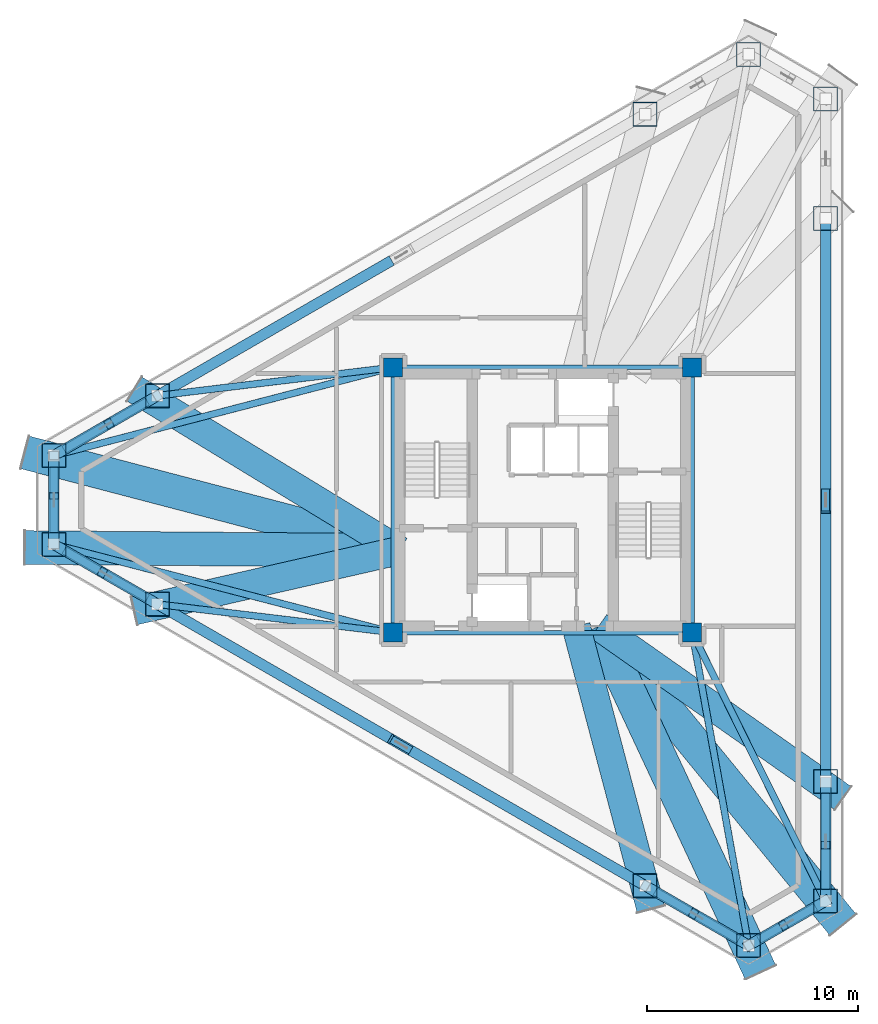
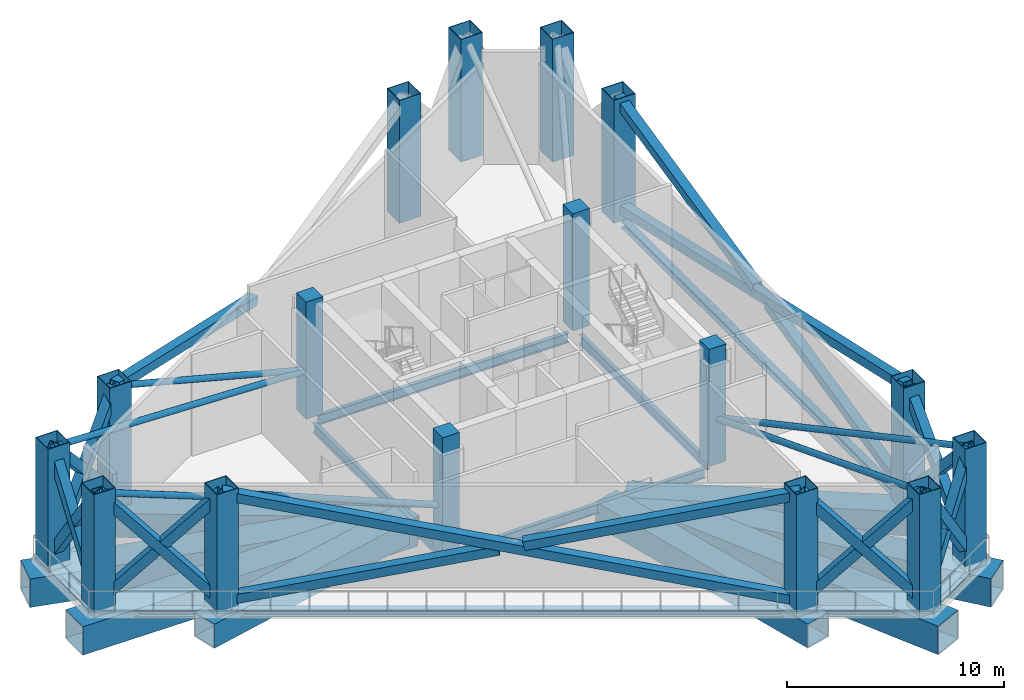
# One storey, part 1 of 7: 31 members, 20 beams, 16 columns.
"""IFC4 building model written with IfcOpenShell, lengths in metres."""

from ifc_helpers import new_model, si_unit, direction, frame, origin, origin_2d, place, context, subcontext, project, spatial, rectangle, hollow_rectangle, hollow_circle, i_section, extrude, material, material_profile, profile_set, type_object, element, save


model = new_model("IFC4")

# Units and contexts
model_context = context("Model", 3, precision=1e-05, world=origin(), true_north=direction((0.0, 1.0)))
body_context = subcontext(model_context, "Body", "Model", "MODEL_VIEW")
ifc_project = project(units=[si_unit("LENGTHUNIT", "METRE"), si_unit("AREAUNIT", "SQUARE_METRE"), si_unit("VOLUMEUNIT", "CUBIC_METRE"), si_unit("PLANEANGLEUNIT", "RADIAN"), si_unit("MASSUNIT", "GRAM", prefix="KILO")], contexts=[model_context])

# Site, building, storey
site_placement = place(None, origin())
site = spatial("IfcSite", under=ifc_project, at=site_placement, CompositionType="ELEMENT")
building_placement = place(site_placement, origin())
building = spatial("IfcBuilding", under=site, at=building_placement, Name="Mersakhor Tower and Convention Hall", CompositionType="ELEMENT")
storey_placement = place(building_placement, frame((0.0, 0.0, 66.89990234375)))
storey = spatial("IfcBuildingStorey", under=building, at=storey_placement, Name="L18", CompositionType="ELEMENT", Elevation=66.89990234375)

# Columns
ifc_material_1 = material(Name="Concrete C60/75 in S460M steel box", Category="concrete")
ifc_material_profile_1 = material_profile(ifc_material_1, hollow_rectangle(XDim=1.14990234375, YDim=1.14990234375, WallThickness=0.031982421875, at=origin_2d()), Name="SHS 1150x1150x32")
ifc_profile_set_1 = profile_set([ifc_material_profile_1], Name="Concrete C60/75 in S460M steel box")
column_type_1 = type_object("IfcColumnType", Name="COL-CFT-1150", PredefinedType="COLUMN", material=ifc_profile_set_1)
for number, where, z_axis, x_axis, name in (
    (1, (5.78662109375, 28.86083984375, -0.31982421875), (0.0, 0.0, 1.0), (1.0, 0.0, 0.0), "L18 Perimeter Mega-Column MC-01"),
    (2, (10.702392578125, 31.698974609375, -0.31982421875), (0.0, 0.0, 1.0), (1.0, 0.0, 0.0), "L18 Perimeter Mega-Column MC-02"),
    (3, (33.86279296875, 45.070556640625, -0.31982421875), (0.0, 0.0, 1.0), (1.0, 0.0, 0.0), "L18 Perimeter Mega-Column MC-03"),
    (4, (38.77880859375, 47.90869140625, -0.31982421875), (0.0, 0.0, 1.0), (1.0, 0.0, 0.0), "L18 Perimeter Mega-Column MC-04"),
    (5, (42.4345703125, 45.798095703125, -0.31982421875), (0.0, 0.0, 1.0), (1.0, 0.0, 0.0), "L18 Perimeter Mega-Column MC-05"),
    (6, (42.4345703125, 40.12158203125, -0.31982421875), (0.0, 0.0, 1.0), (1.0, 0.0, 0.0), "L18 Perimeter Mega-Column MC-06"),
    (7, (42.4345703125, 13.37841796875, -0.31982421875), (0.0, 0.0, 1.0), (1.0, 0.0, 0.0), "L18 Perimeter Mega-Column MC-07"),
    (8, (42.4345703125, 7.701904296875, -0.31982421875), (0.0, 0.0, 1.0), (1.0, 0.0, 0.0), "L18 Perimeter Mega-Column MC-08"),
    (9, (38.77880859375, 5.59130859375, -0.31982421875), (0.0, 0.0, 1.0), (1.0, 0.0, 0.0), "L18 Perimeter Mega-Column MC-09"),
    (10, (33.86279296875, 8.429443359375, -0.31982421875), (0.0, 0.0, 1.0), (1.0, 0.0, 0.0), "L18 Perimeter Mega-Column MC-10"),
    (11, (10.702392578125, 21.801025390625, -0.31982421875), (0.0, 0.0, 1.0), (1.0, 0.0, 0.0), "L18 Perimeter Mega-Column MC-11"),
    (12, (5.78662109375, 24.63916015625, -0.31982421875), (0.0, 0.0, 1.0), (1.0, 0.0, 0.0), "L18 Perimeter Mega-Column MC-12"),
):
    element("IfcColumn", number, at=place(storey_placement, frame(where, z_axis=z_axis, x_axis=x_axis)), inside=storey, type_object=column_type_1, Name=name, PredefinedType="COLUMN", context=body_context, shape_type="SweptSolid", body=[
        extrude(hollow_rectangle(XDim=1.14990234375, YDim=1.14990234375, WallThickness=0.031982421875, at=origin_2d()), origin(), (0.0, 0.0, 1.0), 6.919921875),
    ])
ifc_material_2 = material(Name="Concrete C60/75", Category="concrete")
ifc_material_profile_2 = material_profile(ifc_material_2, rectangle(XDim=0.89990234375, YDim=0.89990234375, at=origin_2d()), Name="RC 900x900")
ifc_profile_set_2 = profile_set([ifc_material_profile_2], Name="Concrete C60/75")
column_type_2 = type_object("IfcColumnType", Name="COL-RC-900", PredefinedType="COLUMN", material=ifc_profile_set_2)
for number, where, z_axis, x_axis, name in (
    (13, (21.89990234375, 20.449951171875, 0.0), (0.0, 0.0, 1.0), (1.0, 0.0, 0.0), "L18 Core Corner Column CC-1"),
    (14, (21.89990234375, 33.050048828125, 0.0), (0.0, 0.0, 1.0), (1.0, 0.0, 0.0), "L18 Core Corner Column CC-2"),
    (15, (36.10009765625, 33.050048828125, 0.0), (0.0, 0.0, 1.0), (1.0, 0.0, 0.0), "L18 Core Corner Column CC-3"),
    (16, (36.10009765625, 20.449951171875, 0.0), (0.0, 0.0, 1.0), (1.0, 0.0, 0.0), "L18 Core Corner Column CC-4"),
):
    element("IfcColumn", number, at=place(storey_placement, frame(where, z_axis=z_axis, x_axis=x_axis)), inside=storey, type_object=column_type_2, Name=name, PredefinedType="COLUMN", context=body_context, shape_type="SweptSolid", body=[
        extrude(rectangle(XDim=0.89990234375, YDim=0.89990234375, at=origin_2d()), origin(), (0.0, 0.0, 1.0), 6.60009765625),
    ])

# Beams
ifc_material_3 = material(Name="Steel S355", Category="steel")
ifc_material_profile_3 = material_profile(ifc_material_3, i_section(OverallWidth=0.2099609375, OverallDepth=0.53662109375, WebThickness=0.0107421875, FlangeThickness=0.017333984375, at=origin_2d()), Name="UB 533x210x101")
ifc_profile_set_3 = profile_set([ifc_material_profile_3], Name="Steel S355")
beam_type_1 = type_object("IfcBeamType", Name="BM-FB-533", PredefinedType="BEAM", material=ifc_profile_set_3)
beam_1_placement = place(storey_placement, frame((21.89990234375, 20.8798828125, -0.588134765625), z_axis=(0.0, 1.0, 0.0), x_axis=(-1.0, 0.0, 0.0)))
element("IfcBeam", 17, at=beam_1_placement, inside=storey, type_object=beam_type_1, Name="L18 Core Ring Tie Beam CRB-1", PredefinedType="BEAM", context=body_context, shape_type="SweptSolid", body=[
    extrude(i_section(OverallWidth=0.2099609375, OverallDepth=0.53662109375, WebThickness=0.0107421875, FlangeThickness=0.017333984375, at=origin_2d()), origin(), (0.0, 0.0, 1.0), 11.740234375),
])
beam_2_placement = place(storey_placement, frame((22.330078125, 33.050048828125, -0.588134765625), z_axis=(1.0, 0.0, 0.0), x_axis=(0.0, 1.0, 0.0)))
element("IfcBeam", 18, at=beam_2_placement, inside=storey, type_object=beam_type_1, Name="L18 Core Ring Tie Beam CRB-2", PredefinedType="BEAM", context=body_context, shape_type="SweptSolid", body=[
    extrude(i_section(OverallWidth=0.2099609375, OverallDepth=0.53662109375, WebThickness=0.0107421875, FlangeThickness=0.017333984375, at=origin_2d()), origin(), (0.0, 0.0, 1.0), 13.33984375),
])
beam_3_placement = place(storey_placement, frame((36.10009765625, 32.6201171875, -0.588134765625), z_axis=(0.0, -1.0, 0.0), x_axis=(1.0, 0.0, 0.0)))
element("IfcBeam", 19, at=beam_3_placement, inside=storey, type_object=beam_type_1, Name="L18 Core Ring Tie Beam CRB-3", PredefinedType="BEAM", context=body_context, shape_type="SweptSolid", body=[
    extrude(i_section(OverallWidth=0.2099609375, OverallDepth=0.53662109375, WebThickness=0.0107421875, FlangeThickness=0.017333984375, at=origin_2d()), origin(), (0.0, 0.0, 1.0), 11.740234375),
])
beam_4_placement = place(storey_placement, frame((35.669921875, 20.449951171875, -0.588134765625), z_axis=(-1.0, 0.0, 0.0), x_axis=(0.0, -1.0, 0.0)))
element("IfcBeam", 20, at=beam_4_placement, inside=storey, type_object=beam_type_1, Name="L18 Core Ring Tie Beam CRB-4", PredefinedType="BEAM", context=body_context, shape_type="SweptSolid", body=[
    extrude(i_section(OverallWidth=0.2099609375, OverallDepth=0.53662109375, WebThickness=0.0107421875, FlangeThickness=0.017333984375, at=origin_2d()), origin(), (0.0, 0.0, 1.0), 13.33984375),
])
ifc_material_4 = material(Name="Steel S355", Category="steel")
ifc_material_profile_4 = material_profile(ifc_material_4, i_section(OverallWidth=0.374755859375, OverallDepth=0.37451171875, WebThickness=0.0166015625, FlangeThickness=0.027099609375, at=origin_2d()), Name="UC 356x368x202")
ifc_profile_set_4 = profile_set([ifc_material_profile_4], Name="Steel S355")
beam_type_2 = type_object("IfcBeamType", Name="BM-SPD-UC356", PredefinedType="SPANDREL", material=ifc_profile_set_4)
beam_5_placement = place(storey_placement, frame((6.267333984375, 29.13818359375, -0.50732421875), z_axis=(0.866023543838, 0.500003221507, 0.0), x_axis=(-0.500003221507, 0.866023543838, 0.0)))
element("IfcBeam", 21, at=beam_5_placement, inside=storey, type_object=beam_type_2, Name="L18 Perimeter Spandrel Beam SPB-01", PredefinedType="SPANDREL", context=body_context, shape_type="SweptSolid", body=[
    extrude(i_section(OverallWidth=0.374755859375, OverallDepth=0.37451171875, WebThickness=0.0166015625, FlangeThickness=0.027099609375, at=origin_2d()), origin(), (0.0, 0.0, 1.0), 4.56640625),
])
beam_6_placement = place(storey_placement, frame((42.4345703125, 39.566650390625, -0.50732421875), z_axis=(0.0, -1.0, 0.0), x_axis=(1.0, 0.0, 0.0)))
element("IfcBeam", 22, at=beam_6_placement, inside=storey, type_object=beam_type_2, Name="L18 Perimeter Spandrel Beam SPB-06", PredefinedType="SPANDREL", context=body_context, shape_type="SweptSolid", body=[
    extrude(i_section(OverallWidth=0.374755859375, OverallDepth=0.37451171875, WebThickness=0.0166015625, FlangeThickness=0.027099609375, at=origin_2d()), origin(), (0.0, 0.0, 1.0), 25.63330078125),
])
beam_7_placement = place(storey_placement, frame((42.4345703125, 12.8232421875, -0.50732421875), z_axis=(0.0, -1.0, 0.0), x_axis=(1.0, 0.0, 0.0)))
element("IfcBeam", 23, at=beam_7_placement, inside=storey, type_object=beam_type_2, Name="L18 Perimeter Spandrel Beam SPB-07", PredefinedType="SPANDREL", context=body_context, shape_type="SweptSolid", body=[
    extrude(i_section(OverallWidth=0.374755859375, OverallDepth=0.37451171875, WebThickness=0.0166015625, FlangeThickness=0.027099609375, at=origin_2d()), origin(), (0.0, 0.0, 1.0), 4.566162109375),
])
beam_8_placement = place(storey_placement, frame((41.9541015625, 7.424560546875, -0.50732421875), z_axis=(-0.866052319632, -0.499953377486, 0.0), x_axis=(0.499953377486, -0.866052319632, 0.0)))
element("IfcBeam", 24, at=beam_8_placement, inside=storey, type_object=beam_type_2, Name="L18 Perimeter Spandrel Beam SPB-08", PredefinedType="SPANDREL", context=body_context, shape_type="SweptSolid", body=[
    extrude(i_section(OverallWidth=0.374755859375, OverallDepth=0.37451171875, WebThickness=0.0166015625, FlangeThickness=0.027099609375, at=origin_2d()), origin(), (0.0, 0.0, 1.0), 3.111572265625),
])
beam_9_placement = place(storey_placement, frame((38.298095703125, 5.868896484375, -0.50732421875), z_axis=(-0.866046694585, 0.499963121439, 0.0), x_axis=(-0.499963121439, -0.866046694585, 0.0)))
element("IfcBeam", 25, at=beam_9_placement, inside=storey, type_object=beam_type_2, Name="L18 Perimeter Spandrel Beam SPB-09", PredefinedType="SPANDREL", context=body_context, shape_type="SweptSolid", body=[
    extrude(i_section(OverallWidth=0.374755859375, OverallDepth=0.37451171875, WebThickness=0.0166015625, FlangeThickness=0.027099609375, at=origin_2d()), origin(), (0.0, 0.0, 1.0), 4.566162109375),
])
beam_10_placement = place(storey_placement, frame((33.38232421875, 8.706787109375, -0.50732421875), z_axis=(-0.866022538643, 0.500004962538, 0.0), x_axis=(-0.500004962538, -0.866022538643, 0.0)))
element("IfcBeam", 26, at=beam_10_placement, inside=storey, type_object=beam_type_2, Name="L18 Perimeter Spandrel Beam SPB-10", PredefinedType="SPANDREL", context=body_context, shape_type="SweptSolid", body=[
    extrude(i_section(OverallWidth=0.374755859375, OverallDepth=0.37451171875, WebThickness=0.0166015625, FlangeThickness=0.027099609375, at=origin_2d()), origin(), (0.0, 0.0, 1.0), 25.633544921875),
])
beam_11_placement = place(storey_placement, frame((10.221923828125, 22.07861328125, -0.50732421875), z_axis=(-0.866023543838, 0.500003221507, 0.0), x_axis=(-0.500003221507, -0.866023543838, 0.0)))
element("IfcBeam", 27, at=beam_11_placement, inside=storey, type_object=beam_type_2, Name="L18 Perimeter Spandrel Beam SPB-11", PredefinedType="SPANDREL", context=body_context, shape_type="SweptSolid", body=[
    extrude(i_section(OverallWidth=0.374755859375, OverallDepth=0.37451171875, WebThickness=0.0166015625, FlangeThickness=0.027099609375, at=origin_2d()), origin(), (0.0, 0.0, 1.0), 4.56640625),
])
beam_12_placement = place(storey_placement, frame((5.78662109375, 25.194091796875, -0.50732421875), z_axis=(0.0, 1.0, 0.0), x_axis=(-1.0, 0.0, 0.0)))
element("IfcBeam", 28, at=beam_12_placement, inside=storey, type_object=beam_type_2, Name="L18 Perimeter Spandrel Beam SPB-12", PredefinedType="SPANDREL", context=body_context, shape_type="SweptSolid", body=[
    extrude(i_section(OverallWidth=0.374755859375, OverallDepth=0.37451171875, WebThickness=0.0166015625, FlangeThickness=0.027099609375, at=origin_2d()), origin(), (0.0, 0.0, 1.0), 3.11181640625),
])
ifc_material_5 = material(Name="Steel S460", Category="steel")
ifc_material_profile_5 = material_profile(ifc_material_5, hollow_rectangle(XDim=1.35009765625, YDim=1.35009765625, WallThickness=0.035888671875, at=origin_2d()), Name="SHS 1350x1350x36")
ifc_profile_set_5 = profile_set([ifc_material_profile_5], Name="Steel S460")
beam_type_3 = type_object("IfcBeamType", Name="BM-TR-BOX1350", PredefinedType="BEAM", material=ifc_profile_set_5)
beam_13_placement = place(storey_placement, frame((9.61669921875, 32.013671875, -0.994873046875), z_axis=(0.854071815616, -0.520155105493, 0.0), x_axis=(0.520155105493, 0.854071815616, 0.0)))
element("IfcBeam", 29, at=beam_13_placement, inside=storey, type_object=beam_type_3, Name="L18 Taper Step Transfer Girder STG-02", PredefinedType="BEAM", context=body_context, shape_type="SweptSolid", body=[
    extrude(hollow_rectangle(XDim=1.35009765625, YDim=1.35009765625, WallThickness=0.035888671875, at=origin_2d()), origin(), (0.0, 0.0, 1.0), 14.733154296875),
])
beam_14_placement = place(storey_placement, frame((43.25, 12.595458984375, -0.994873046875), z_axis=(-0.818088140846, 0.575092856682, 0.0), x_axis=(-0.575092856682, -0.818088140846, 0.0)))
element("IfcBeam", 30, at=beam_14_placement, inside=storey, type_object=beam_type_3, Name="L18 Taper Step Transfer Girder STG-07", PredefinedType="BEAM", context=body_context, shape_type="SweptSolid", body=[
    extrude(hollow_rectangle(XDim=1.35009765625, YDim=1.35009765625, WallThickness=0.035888671875, at=origin_2d()), origin(), (0.0, 0.0, 1.0), 14.179443359375),
])
beam_15_placement = place(storey_placement, frame((34.13330078125, 7.331787109375, -0.994873046875), z_axis=(-0.255571992926, 0.966790027065, 0.0), x_axis=(-0.966790027065, -0.255571992926, 0.0)))
element("IfcBeam", 31, at=beam_15_placement, inside=storey, type_object=beam_type_3, Name="L18 Taper Step Transfer Girder STG-10", PredefinedType="BEAM", context=body_context, shape_type="SweptSolid", body=[
    extrude(hollow_rectangle(XDim=1.35009765625, YDim=1.35009765625, WallThickness=0.035888671875, at=origin_2d()), origin(), (0.0, 0.0, 1.0), 13.879150390625),
])
beam_16_placement = place(storey_placement, frame((9.61669921875, 21.486328125, -0.994873046875), z_axis=(0.975066840211, 0.221911372222, 0.0), x_axis=(-0.221911372222, 0.975066840211, 0.0)))
element("IfcBeam", 32, at=beam_16_placement, inside=storey, type_object=beam_type_3, Name="L18 Taper Step Transfer Girder STG-11", PredefinedType="BEAM", context=body_context, shape_type="SweptSolid", body=[
    extrude(hollow_rectangle(XDim=1.35009765625, YDim=1.35009765625, WallThickness=0.035888671875, at=origin_2d()), origin(), (0.0, 0.0, 1.0), 12.905029296875),
])
ifc_material_6 = material(Name="Steel S460", Category="steel")
ifc_material_profile_6 = material_profile(ifc_material_6, hollow_rectangle(XDim=1.60009765625, YDim=1.60009765625, WallThickness=0.0400390625, at=origin_2d()), Name="SHS 1600x1600x40")
ifc_profile_set_6 = profile_set([ifc_material_profile_6], Name="Steel S460")
beam_type_4 = type_object("IfcBeamType", Name="BM-TR-BOX1600", PredefinedType="BEAM", material=ifc_profile_set_6)
beam_17_placement = place(storey_placement, frame((4.4130859375, 29.00927734375, -1.119873046875), z_axis=(0.96736269218, -0.253395780901, 0.0), x_axis=(0.253395780901, 0.96736269218, 0.0)))
element("IfcBeam", 33, at=beam_17_placement, inside=storey, type_object=beam_type_4, Name="L18 Taper Step Transfer Girder STG-01", PredefinedType="BEAM", context=body_context, shape_type="SweptSolid", body=[
    extrude(hollow_rectangle(XDim=1.60009765625, YDim=1.60009765625, WallThickness=0.0400390625, at=origin_2d()), origin(), (0.0, 0.0, 1.0), 18.386962890625),
])
beam_18_placement = place(storey_placement, frame((43.25, 6.586669921875, -1.119873046875), z_axis=(-0.633627677135, 0.773638136837, 0.0), x_axis=(-0.773638136837, -0.633627677135, 0.0)))
element("IfcBeam", 34, at=beam_18_placement, inside=storey, type_object=beam_type_4, Name="L18 Taper Step Transfer Girder STG-08", PredefinedType="BEAM", context=body_context, shape_type="SweptSolid", body=[
    extrude(hollow_rectangle(XDim=1.60009765625, YDim=1.60009765625, WallThickness=0.0400390625, at=origin_2d()), origin(), (0.0, 0.0, 1.0), 18.307373046875),
])
beam_19_placement = place(storey_placement, frame((39.3369140625, 4.327392578125, -1.119873046875), z_axis=(-0.423932586502, 0.905693746308, 0.0), x_axis=(-0.905693746308, -0.423932586502, 0.0)))
element("IfcBeam", 35, at=beam_19_placement, inside=storey, type_object=beam_type_4, Name="L18 Taper Step Transfer Girder STG-09", PredefinedType="BEAM", context=body_context, shape_type="SweptSolid", body=[
    extrude(hollow_rectangle(XDim=1.60009765625, YDim=1.60009765625, WallThickness=0.0400390625, at=origin_2d()), origin(), (0.0, 0.0, 1.0), 18.132568359375),
])
beam_20_placement = place(storey_placement, frame((4.4130859375, 24.49072265625, -1.119873046875), z_axis=(0.999968748139, -0.007905867805, 0.0), x_axis=(0.007905867805, 0.999968748139, 0.0)))
element("IfcBeam", 36, at=beam_20_placement, inside=storey, type_object=beam_type_4, Name="L18 Taper Step Transfer Girder STG-12", PredefinedType="BEAM", context=body_context, shape_type="SweptSolid", body=[
    extrude(hollow_rectangle(XDim=1.60009765625, YDim=1.60009765625, WallThickness=0.0400390625, at=origin_2d()), origin(), (0.0, 0.0, 1.0), 17.787353515625),
])

# Members
ifc_material_7 = material(Name="Steel S460", Category="steel")
ifc_material_profile_7 = material_profile(ifc_material_7, hollow_rectangle(XDim=0.5, YDim=0.5, WallThickness=0.030029296875, at=origin_2d()), Name="SHS 500x500x30")
ifc_profile_set_7 = profile_set([ifc_material_profile_7], Name="Steel S460")
member_type_1 = type_object("IfcMemberType", Name="MB-BRC-SHS500", PredefinedType="BRACE", material=ifc_profile_set_7)
member_1_placement = place(storey_placement, frame((5.78662109375, 28.86083984375, 0.2001953125), z_axis=(0.595163661612, 0.343619447045, 0.726433680049), x_axis=(-0.500001688065, 0.866024429177, 0.0)))
element("IfcMember", 37, at=member_1_placement, inside=storey, type_object=member_type_1, Name="L18 Wind Zone Perimeter Diagonal WD-01A", PredefinedType="BRACE", context=body_context, shape_type="SweptSolid", body=[
    extrude(hollow_rectangle(XDim=0.5, YDim=0.5, WallThickness=0.030029296875, at=origin_2d()), origin(), (0.0, 0.0, 1.0), 8.259521484375),
])
member_2_placement = place(storey_placement, frame((10.702392578125, 31.698974609375, 0.2001953125), z_axis=(-0.595141568345, -0.343639547092, 0.726442272519), x_axis=(0.500037544306, -0.866003726484, 0.0)))
element("IfcMember", 38, at=member_2_placement, inside=storey, type_object=member_type_1, Name="L18 Wind Zone Perimeter Diagonal WD-01B Lower Half", PredefinedType="BRACE", context=body_context, shape_type="SweptSolid", body=[
    extrude(hollow_rectangle(XDim=0.5, YDim=0.5, WallThickness=0.030029296875, at=origin_2d()), origin(), (0.0, 0.0, 1.0), 3.871337890625),
])
member_3_placement = place(storey_placement, frame((8.0908203125, 30.191162109375, 3.3876953125), z_axis=(-0.595155029377, -0.343610908569, 0.726444791102), x_axis=(0.499997808738, -0.866026668906, 0.0)))
element("IfcMember", 39, at=member_3_placement, inside=storey, type_object=member_type_1, Name="L18 Wind Zone Perimeter Diagonal WD-01B Upper Half", PredefinedType="BRACE", context=body_context, shape_type="SweptSolid", body=[
    extrude(hollow_rectangle(XDim=0.5, YDim=0.5, WallThickness=0.030029296875, at=origin_2d()), origin(), (0.0, 0.0, 1.0), 3.87158203125),
])
member_4_placement = place(storey_placement, frame((21.781494140625, 38.09521484375, 3.330078125), z_axis=(-0.845029201905, -0.48785632571, 0.218910605941), x_axis=(0.499983465247, -0.866034949918, 0.0)))
element("IfcMember", 40, at=member_4_placement, inside=storey, type_object=member_type_1, Name="L18 Wind Zone Perimeter Diagonal WD-02B Upper Half", PredefinedType="BRACE", context=body_context, shape_type="SweptSolid", body=[
    extrude(hollow_rectangle(XDim=0.5, YDim=0.5, WallThickness=0.030029296875, at=origin_2d()), origin(), (0.0, 0.0, 1.0), 13.11083984375),
])
member_5_placement = place(storey_placement, frame((42.4345703125, 40.12158203125, 0.2001953125), z_axis=(0.0, -0.975744062091, 0.218914424593), x_axis=(1.0, 0.0, 0.0)))
element("IfcMember", 41, at=member_5_placement, inside=storey, type_object=member_type_1, Name="L18 Wind Zone Perimeter Diagonal WD-06A", PredefinedType="BRACE", context=body_context, shape_type="SweptSolid", body=[
    extrude(hollow_rectangle(XDim=0.5, YDim=0.5, WallThickness=0.030029296875, at=origin_2d()), origin(), (0.0, 0.0, 1.0), 27.407958984375),
])
for number, where, z_axis, x_axis, name in (
    (42, (42.4345703125, 13.37841796875, 0.2001953125), (0.0, 0.975744264857, 0.218913520824), (-1.0, 0.0, 0.0), "L18 Wind Zone Perimeter Diagonal WD-06B Lower Half"),
    (43, (42.4345703125, 27.328857421875, 3.330078125), (0.0, 0.975744264857, 0.218913520824), (-1.0, 0.0, 0.0), "L18 Wind Zone Perimeter Diagonal WD-06B Upper Half"),
):
    element("IfcMember", number, at=place(storey_placement, frame(where, z_axis=z_axis, x_axis=x_axis)), inside=storey, type_object=member_type_1, Name=name, PredefinedType="BRACE", context=body_context, shape_type="SweptSolid", body=[
        extrude(hollow_rectangle(XDim=0.5, YDim=0.5, WallThickness=0.030029296875, at=origin_2d()), origin(), (0.0, 0.0, 1.0), 13.11083984375),
    ])
member_6_placement = place(storey_placement, frame((42.4345703125, 13.37841796875, 0.2001953125), z_axis=(0.0, -0.687253396, 0.726417765261), x_axis=(1.0, 0.0, 0.0)))
element("IfcMember", 44, at=member_6_placement, inside=storey, type_object=member_type_1, Name="L18 Wind Zone Perimeter Diagonal WD-07A", PredefinedType="BRACE", context=body_context, shape_type="SweptSolid", body=[
    extrude(hollow_rectangle(XDim=0.5, YDim=0.5, WallThickness=0.030029296875, at=origin_2d()), origin(), (0.0, 0.0, 1.0), 8.259765625),
])
member_7_placement = place(storey_placement, frame((42.4345703125, 7.701904296875, 0.2001953125), z_axis=(0.0, 0.687254721607, 0.726416511121), x_axis=(-1.0, 0.0, 0.0)))
element("IfcMember", 45, at=member_7_placement, inside=storey, type_object=member_type_1, Name="L18 Wind Zone Perimeter Diagonal WD-07B Lower Half", PredefinedType="BRACE", context=body_context, shape_type="SweptSolid", body=[
    extrude(hollow_rectangle(XDim=0.5, YDim=0.5, WallThickness=0.030029296875, at=origin_2d()), origin(), (0.0, 0.0, 1.0), 3.871337890625),
])
member_8_placement = place(storey_placement, frame((42.4345703125, 10.7177734375, 3.3876953125), z_axis=(0.0, 0.68722323953, 0.726446294677), x_axis=(-1.0, 0.0, 0.0)))
element("IfcMember", 46, at=member_8_placement, inside=storey, type_object=member_type_1, Name="L18 Wind Zone Perimeter Diagonal WD-07B Upper Half", PredefinedType="BRACE", context=body_context, shape_type="SweptSolid", body=[
    extrude(hollow_rectangle(XDim=0.5, YDim=0.5, WallThickness=0.030029296875, at=origin_2d()), origin(), (0.0, 0.0, 1.0), 3.87158203125),
])
member_9_placement = place(storey_placement, frame((42.4345703125, 7.701904296875, 0.2001953125), z_axis=(-0.498321046316, -0.287697705717, 0.817866838137), x_axis=(0.49998946241, -0.866031487579, 0.0)))
element("IfcMember", 47, at=member_9_placement, inside=storey, type_object=member_type_1, Name="L18 Wind Zone Perimeter Diagonal WD-08A", PredefinedType="BRACE", context=body_context, shape_type="SweptSolid", body=[
    extrude(hollow_rectangle(XDim=0.5, YDim=0.5, WallThickness=0.030029296875, at=origin_2d()), origin(), (0.0, 0.0, 1.0), 7.336181640625),
])
member_10_placement = place(storey_placement, frame((38.77880859375, 5.59130859375, 0.2001953125), z_axis=(0.498305314168, 0.287705146748, 0.817873805918), x_axis=(-0.500011000363, 0.866019052629, 0.0)))
element("IfcMember", 48, at=member_10_placement, inside=storey, type_object=member_type_1, Name="L18 Wind Zone Perimeter Diagonal WD-08B Lower Half", PredefinedType="BRACE", context=body_context, shape_type="SweptSolid", body=[
    extrude(hollow_rectangle(XDim=0.5, YDim=0.5, WallThickness=0.030029296875, at=origin_2d()), origin(), (0.0, 0.0, 1.0), 3.394287109375),
])
member_11_placement = place(storey_placement, frame((40.742919921875, 6.725341796875, 3.423828125), z_axis=(0.49833006426, 0.287677912692, 0.817868305783), x_axis=(-0.499956876673, 0.866050299617, 0.0)))
element("IfcMember", 49, at=member_11_placement, inside=storey, type_object=member_type_1, Name="L18 Wind Zone Perimeter Diagonal WD-08B Upper Half", PredefinedType="BRACE", context=body_context, shape_type="SweptSolid", body=[
    extrude(hollow_rectangle(XDim=0.5, YDim=0.5, WallThickness=0.030029296875, at=origin_2d()), origin(), (0.0, 0.0, 1.0), 3.39453125),
])
member_12_placement = place(storey_placement, frame((38.77880859375, 5.59130859375, 0.2001953125), z_axis=(-0.595182749508, 0.343613402018, 0.726420900472), x_axis=(-0.499983064336, -0.866035181374, 0.0)))
element("IfcMember", 50, at=member_12_placement, inside=storey, type_object=member_type_1, Name="L18 Wind Zone Perimeter Diagonal WD-09A", PredefinedType="BRACE", context=body_context, shape_type="SweptSolid", body=[
    extrude(hollow_rectangle(XDim=0.5, YDim=0.5, WallThickness=0.030029296875, at=origin_2d()), origin(), (0.0, 0.0, 1.0), 8.259765625),
])
member_13_placement = place(storey_placement, frame((33.86279296875, 8.429443359375, 0.2001953125), z_axis=(0.595182293645, -0.34362664951, 0.72641500747), x_axis=(0.499997808738, 0.866026668906, 0.0)))
element("IfcMember", 51, at=member_13_placement, inside=storey, type_object=member_type_1, Name="L18 Wind Zone Perimeter Diagonal WD-09B Lower Half", PredefinedType="BRACE", context=body_context, shape_type="SweptSolid", body=[
    extrude(hollow_rectangle(XDim=0.5, YDim=0.5, WallThickness=0.030029296875, at=origin_2d()), origin(), (0.0, 0.0, 1.0), 3.871337890625),
])
member_14_placement = place(storey_placement, frame((36.474609375, 6.921630859375, 3.3876953125), z_axis=(0.595155029377, -0.343610908569, 0.726444791102), x_axis=(0.499997808738, 0.866026668906, 0.0)))
element("IfcMember", 52, at=member_14_placement, inside=storey, type_object=member_type_1, Name="L18 Wind Zone Perimeter Diagonal WD-09B Upper Half", PredefinedType="BRACE", context=body_context, shape_type="SweptSolid", body=[
    extrude(hollow_rectangle(XDim=0.5, YDim=0.5, WallThickness=0.030029296875, at=origin_2d()), origin(), (0.0, 0.0, 1.0), 3.87158203125),
])
member_15_placement = place(storey_placement, frame((33.86279296875, 8.429443359375, 0.2001953125), z_axis=(-0.845020615703, 0.487869911158, 0.218913473373), x_axis=(-0.499997718057, -0.866026721261, 0.0)))
element("IfcMember", 53, at=member_15_placement, inside=storey, type_object=member_type_1, Name="L18 Wind Zone Perimeter Diagonal WD-10A", PredefinedType="BRACE", context=body_context, shape_type="SweptSolid", body=[
    extrude(hollow_rectangle(XDim=0.5, YDim=0.5, WallThickness=0.030029296875, at=origin_2d()), origin(), (0.0, 0.0, 1.0), 27.408203125),
])
member_16_placement = place(storey_placement, frame((10.702392578125, 21.801025390625, 0.2001953125), z_axis=(0.845029201905, -0.48785632571, 0.218910605941), x_axis=(0.499983465247, 0.866034949918, 0.0)))
element("IfcMember", 54, at=member_16_placement, inside=storey, type_object=member_type_1, Name="L18 Wind Zone Perimeter Diagonal WD-10B Lower Half", PredefinedType="BRACE", context=body_context, shape_type="SweptSolid", body=[
    extrude(hollow_rectangle(XDim=0.5, YDim=0.5, WallThickness=0.030029296875, at=origin_2d()), origin(), (0.0, 0.0, 1.0), 13.11083984375),
])
member_17_placement = place(storey_placement, frame((22.783935546875, 14.82568359375, 3.330078125), z_axis=(0.845023877506, -0.487864002441, 0.218914050639), x_axis=(0.499991728822, 0.866030179099, 0.0)))
element("IfcMember", 55, at=member_17_placement, inside=storey, type_object=member_type_1, Name="L18 Wind Zone Perimeter Diagonal WD-10B Upper Half", PredefinedType="BRACE", context=body_context, shape_type="SweptSolid", body=[
    extrude(hollow_rectangle(XDim=0.5, YDim=0.5, WallThickness=0.030029296875, at=origin_2d()), origin(), (0.0, 0.0, 1.0), 13.110595703125),
])
member_18_placement = place(storey_placement, frame((10.702392578125, 21.801025390625, 0.2001953125), z_axis=(-0.595163661612, 0.343619447045, 0.726433680049), x_axis=(-0.500001688065, -0.866024429177, 0.0)))
element("IfcMember", 56, at=member_18_placement, inside=storey, type_object=member_type_1, Name="L18 Wind Zone Perimeter Diagonal WD-11A", PredefinedType="BRACE", context=body_context, shape_type="SweptSolid", body=[
    extrude(hollow_rectangle(XDim=0.5, YDim=0.5, WallThickness=0.030029296875, at=origin_2d()), origin(), (0.0, 0.0, 1.0), 8.259521484375),
])
for number, where, z_axis, x_axis, name in (
    (57, (5.78662109375, 24.63916015625, 0.2001953125), (0.595182293645, -0.34362664951, 0.72641500747), (0.499997808738, 0.866026668906, 0.0), "L18 Wind Zone Perimeter Diagonal WD-11B Lower Half"),
    (58, (8.3984375, 23.13134765625, 3.3876953125), (0.595114303895, -0.343623804379, 0.726472054771), (0.500037544306, 0.866003726484, 0.0), "L18 Wind Zone Perimeter Diagonal WD-11B Upper Half"),
):
    element("IfcMember", number, at=place(storey_placement, frame(where, z_axis=z_axis, x_axis=x_axis)), inside=storey, type_object=member_type_1, Name=name, PredefinedType="BRACE", context=body_context, shape_type="SweptSolid", body=[
        extrude(hollow_rectangle(XDim=0.5, YDim=0.5, WallThickness=0.030029296875, at=origin_2d()), origin(), (0.0, 0.0, 1.0), 3.871337890625),
    ])
member_19_placement = place(storey_placement, frame((5.78662109375, 24.63916015625, 0.2001953125), z_axis=(0.0, 0.57544394601, 0.817841222366), x_axis=(-1.0, 0.0, 0.0)))
element("IfcMember", 59, at=member_19_placement, inside=storey, type_object=member_type_1, Name="L18 Wind Zone Perimeter Diagonal WD-12A", PredefinedType="BRACE", context=body_context, shape_type="SweptSolid", body=[
    extrude(hollow_rectangle(XDim=0.5, YDim=0.5, WallThickness=0.030029296875, at=origin_2d()), origin(), (0.0, 0.0, 1.0), 7.33642578125),
])
member_20_placement = place(storey_placement, frame((5.78662109375, 28.86083984375, 0.2001953125), z_axis=(0.0, -0.575454210895, 0.81783399976), x_axis=(1.0, 0.0, 0.0)))
element("IfcMember", 60, at=member_20_placement, inside=storey, type_object=member_type_1, Name="L18 Wind Zone Perimeter Diagonal WD-12B Lower Half", PredefinedType="BRACE", context=body_context, shape_type="SweptSolid", body=[
    extrude(hollow_rectangle(XDim=0.5, YDim=0.5, WallThickness=0.030029296875, at=origin_2d()), origin(), (0.0, 0.0, 1.0), 3.39453125),
])
member_21_placement = place(storey_placement, frame((5.78662109375, 26.592529296875, 3.423828125), z_axis=(0.0, -0.575420363658, 0.817857814713), x_axis=(1.0, 0.0, 0.0)))
element("IfcMember", 61, at=member_21_placement, inside=storey, type_object=member_type_1, Name="L18 Wind Zone Perimeter Diagonal WD-12B Upper Half", PredefinedType="BRACE", context=body_context, shape_type="SweptSolid", body=[
    extrude(hollow_rectangle(XDim=0.5, YDim=0.5, WallThickness=0.030029296875, at=origin_2d()), origin(), (0.0, 0.0, 1.0), 3.394775390625),
])
ifc_material_8 = material(Name="Steel S355", Category="steel")
ifc_material_profile_8 = material_profile(ifc_material_8, hollow_circle(Radius=0.161865234375, WallThickness=0.02001953125, at=origin_2d()), Name="CHS 323.9x20")
ifc_profile_set_8 = profile_set([ifc_material_profile_8], Name="Steel S355")
member_type_2 = type_object("IfcMemberType", Name="MB-STR-CHS324", PredefinedType="STRUT", material=ifc_profile_set_8)
member_22_placement = place(storey_placement, frame((21.89990234375, 33.050048828125, 2.380126953125), z_axis=(-0.943313519566, -0.245247222458, 0.223636767283), x_axis=(0.251620116229, -0.967826077924, 0.0)))
element("IfcMember", 62, at=member_22_placement, inside=storey, type_object=member_type_2, Name="L18 Radial Structural Strut RS-1", PredefinedType="STRUT", context=body_context, shape_type="SweptSolid", body=[
    extrude(hollow_circle(Radius=0.161865234375, WallThickness=0.02001953125, at=origin_2d()), origin(), (0.0, 0.0, 1.0), 17.08154296875),
])
member_23_placement = place(storey_placement, frame((21.89990234375, 33.050048828125, 2.380126953125), z_axis=(-0.9403281368, -0.113458539388, 0.320796126818), x_axis=(0.119789628513, -0.992799297391, 0.0)))
element("IfcMember", 63, at=member_23_placement, inside=storey, type_object=member_type_2, Name="L18 Radial Structural Strut RS-2", PredefinedType="STRUT", context=body_context, shape_type="SweptSolid", body=[
    extrude(hollow_circle(Radius=0.161865234375, WallThickness=0.02001953125, at=origin_2d()), origin(), (0.0, 0.0, 1.0), 11.908203125),
])
member_24_placement = place(storey_placement, frame((36.10009765625, 20.449951171875, 2.380126953125), z_axis=(0.429783165123, -0.86493323634, 0.259185122357), x_axis=(0.895535788139, 0.444989496688, 0.0)))
element("IfcMember", 64, at=member_24_placement, inside=storey, type_object=member_type_2, Name="L18 Radial Structural Strut RS-5", PredefinedType="STRUT", context=body_context, shape_type="SweptSolid", body=[
    extrude(hollow_circle(Radius=0.161865234375, WallThickness=0.02001953125, at=origin_2d()), origin(), (0.0, 0.0, 1.0), 14.73876953125),
])
member_25_placement = place(storey_placement, frame((36.10009765625, 20.449951171875, 2.380126953125), z_axis=(0.171999543416, -0.954070744792, 0.245285896449), x_axis=(0.984135303501, 0.177419571647, 0.0)))
element("IfcMember", 65, at=member_25_placement, inside=storey, type_object=member_type_2, Name="L18 Radial Structural Strut RS-6", PredefinedType="STRUT", context=body_context, shape_type="SweptSolid", body=[
    extrude(hollow_circle(Radius=0.161865234375, WallThickness=0.02001953125, at=origin_2d()), origin(), (0.0, 0.0, 1.0), 15.573974609375),
])
member_26_placement = place(storey_placement, frame((21.89990234375, 20.449951171875, 2.380126953125), z_axis=(-0.9403281368, 0.113458539388, 0.320796126818), x_axis=(-0.119789628513, -0.992799297391, 0.0)))
element("IfcMember", 66, at=member_26_placement, inside=storey, type_object=member_type_2, Name="L18 Radial Structural Strut RS-7", PredefinedType="STRUT", context=body_context, shape_type="SweptSolid", body=[
    extrude(hollow_circle(Radius=0.161865234375, WallThickness=0.02001953125, at=origin_2d()), origin(), (0.0, 0.0, 1.0), 11.908203125),
])
member_27_placement = place(storey_placement, frame((21.89990234375, 20.449951171875, 2.380126953125), z_axis=(-0.943313519566, 0.245247222458, 0.223636767283), x_axis=(-0.251620116229, -0.967826077924, 0.0)))
element("IfcMember", 67, at=member_27_placement, inside=storey, type_object=member_type_2, Name="L18 Radial Structural Strut RS-8", PredefinedType="STRUT", context=body_context, shape_type="SweptSolid", body=[
    extrude(hollow_circle(Radius=0.161865234375, WallThickness=0.02001953125, at=origin_2d()), origin(), (0.0, 0.0, 1.0), 17.08154296875),
])

save(model, "model.ifc")
